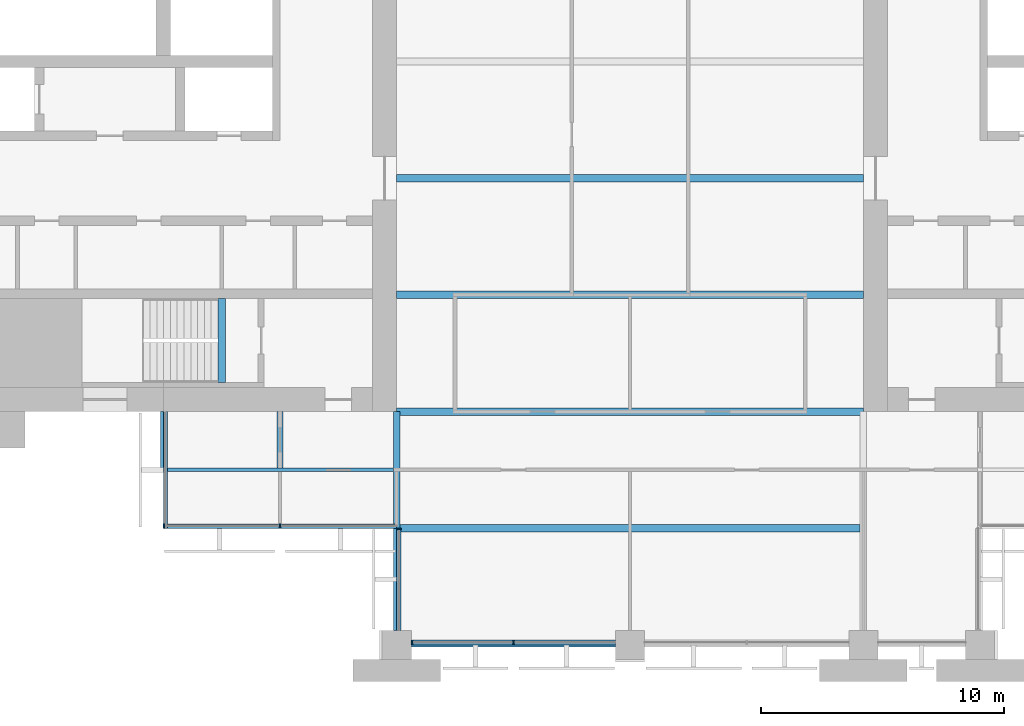
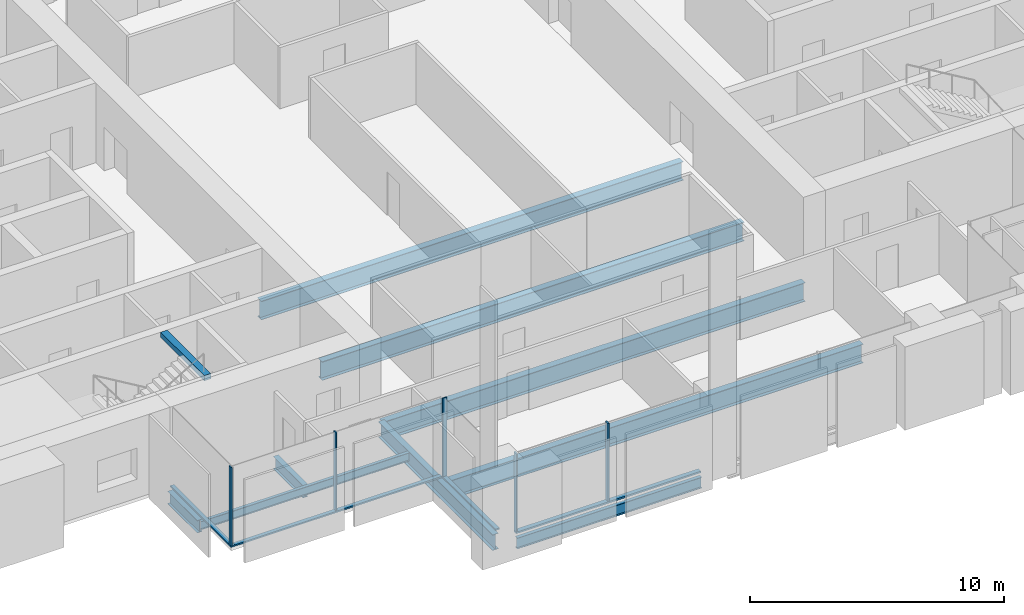
# One storey, part 2 of 14: 10 beams, 9 members, 4 elements without a shape of their own.
"""IFC4 building model written with IfcOpenShell, lengths in metres."""

import ifcopenshell
import ifcopenshell.guid

model = None  # the IFC model being written
_history = None  # IfcOwnerHistory: only IFC2X3 demands one
_inside = {}  # id of a spatial element -> (the spatial element, [elements in it])
_under = {}  # id of a project, library or spatial element -> (it, [spatial elements below it])
_declared = {}  # id of a project -> (the project, [libraries it declares])
_typed = {}  # id of a type object -> (the type object, [elements of that type])
_made_of = {}  # id of a material, layer set ... -> (it, [elements and type objects made of it])


def new_model(schema):
    """Start an empty IFC model of exactly this schema.

    Asked for "IFC4X3", IfcOpenShell would pick the latest addendum, in which some entities
    have other attributes; the version numbers below select the first issue.
    IFC2X3 requires an IfcOwnerHistory on every rooted entity: one is made here for all.
    """
    global model, _history
    if schema == "IFC4X3":
        model = ifcopenshell.file(schema_version=(4, 3, 0, 0))
    else:
        model = ifcopenshell.file(schema=schema)
    _inside.clear()
    _under.clear()
    _declared.clear()
    _typed.clear()
    _made_of.clear()
    _history = None
    if model.schema == "IFC2X3":
        org = make("IfcOrganization", Name="unknown")
        user = make(
            "IfcPersonAndOrganization",
            ThePerson=make("IfcPerson", FamilyName="unknown"),
            TheOrganization=org,
        )
        app = make(
            "IfcApplication",
            ApplicationDeveloper=org,
            Version="unknown",
            ApplicationFullName="unknown",
            ApplicationIdentifier="unknown",
        )
        _history = make(
            "IfcOwnerHistory",
            OwningUser=user,
            OwningApplication=app,
            ChangeAction="ADDED",
            CreationDate=0,
        )
    return model


def make(cls, **values):
    """One entity of the class cls with the attributes given. An attribute that is None is left unset."""
    return model.create_entity(
        cls, **{name: value for name, value in values.items() if value is not None}
    )


def rooted(cls, **values):
    """An entity with a GlobalId (a new one), such as an element, a storey or a relation."""
    return make(cls, GlobalId=ifcopenshell.guid.new(), OwnerHistory=_history, **values)


def si_unit(unit_type, name, prefix=None):
    """IfcSIUnit, for example si_unit("LENGTHUNIT", "METRE", prefix="MILLI")."""
    return make("IfcSIUnit", UnitType=unit_type, Prefix=prefix, Name=name)


def assignment(units):
    """IfcUnitAssignment: the units of a project."""
    return None if units is None else make("IfcUnitAssignment", Units=units)


def point(xyz):
    """IfcCartesianPoint."""
    return None if xyz is None else make("IfcCartesianPoint", Coordinates=xyz)


def direction(xyz):
    """IfcDirection."""
    return None if xyz is None else make("IfcDirection", DirectionRatios=xyz)


def frame(location, z_axis=None, x_axis=None):
    """IfcAxis2Placement3D, a coordinate frame: its origin and axes. An axis left out is left unset."""
    return make(
        "IfcAxis2Placement3D",
        Location=point(location),
        Axis=direction(z_axis),
        RefDirection=direction(x_axis),
    )


def frame_2d(location, x_axis=None):
    """IfcAxis2Placement2D, a coordinate frame in the plane: its origin and x axis."""
    return make(
        "IfcAxis2Placement2D", Location=point(location), RefDirection=direction(x_axis)
    )


def origin():
    """The frame at (0, 0, 0) with its axes left unset."""
    return frame((0.0, 0.0, 0.0))


def origin_2d():
    """The frame at (0, 0) in the plane with its x axis left unset."""
    return frame_2d((0.0, 0.0))


def place(relative_to, where):
    """IfcLocalPlacement: puts the frame where relative to a parent placement (None: the world)."""
    return make(
        "IfcLocalPlacement", PlacementRelTo=relative_to, RelativePlacement=where
    )


def context(
    kind, dimensions, precision=None, world=None, true_north=None, identifier=None
):
    """IfcGeometricRepresentationContext, for example the 3D "Model" context."""
    return make(
        "IfcGeometricRepresentationContext",
        ContextIdentifier=identifier,
        ContextType=kind,
        CoordinateSpaceDimension=dimensions,
        Precision=precision,
        WorldCoordinateSystem=world,
        TrueNorth=true_north,
    )


def subcontext(parent, identifier, kind, view, scale=None):
    """IfcGeometricRepresentationSubContext, for example "Body" below "Model"."""
    return make(
        "IfcGeometricRepresentationSubContext",
        ContextIdentifier=identifier,
        ContextType=kind,
        ParentContext=parent,
        TargetScale=scale,
        TargetView=view,
    )


def project(units=None, contexts=None):
    """IfcProject with its units and contexts."""
    return rooted(
        "IfcProject",
        Name="project",
        RepresentationContexts=contexts,
        UnitsInContext=assignment(units),
    )


def spatial(cls, under=None, at=None, **own):
    """A site, building, storey or space (cls), placed at a placement, below another one or the project."""
    s = rooted(cls, ObjectPlacement=at, **own)
    if under is not None:
        _under.setdefault(under.id(), (under, []))[1].append(s)
    return s


def profile(cls, at=None, kind="AREA", **sizes):
    """A parametric profile (cls). Its sizes go by their IFC names, for example OverallWidth=200.0."""
    return make(cls, ProfileType=kind, Position=at, **sizes)


def rectangle(**sizes):
    """IfcRectangleProfileDef."""
    return profile("IfcRectangleProfileDef", **sizes)


def i_section(**sizes):
    """IfcIShapeProfileDef."""
    return profile("IfcIShapeProfileDef", **sizes)


def extrude(swept, where, along, depth):
    """IfcExtrudedAreaSolid: the profile swept, set in the frame where, extruded along a direction by depth."""
    return make(
        "IfcExtrudedAreaSolid",
        SweptArea=swept,
        Position=where,
        ExtrudedDirection=direction(along),
        Depth=depth,
    )


def shape(context_of_items, identifier, shape_type, items):
    """IfcShapeRepresentation: the items that make up one representation, for example the "Body"."""
    return make(
        "IfcShapeRepresentation",
        ContextOfItems=context_of_items,
        RepresentationIdentifier=identifier,
        RepresentationType=shape_type,
        Items=items,
    )


def material(Name=None, Category=None):
    """IfcMaterial."""
    return make("IfcMaterial", Name=Name, Category=Category)


def material_profile(
    of_material, cross_section, Name=None, Category=None, Priority=None
):
    """IfcMaterialProfile: a cross section and its material."""
    return make(
        "IfcMaterialProfile",
        Name=Name,
        Material=of_material,
        Profile=cross_section,
        Priority=Priority,
        Category=Category,
    )


def profile_set(profiles, Name=None, composite=None):
    """IfcMaterialProfileSet."""
    return make(
        "IfcMaterialProfileSet",
        Name=Name,
        MaterialProfiles=profiles,
        CompositeProfile=composite,
    )


def made_of(thing, what):
    """Note that an element or type object is made of a material, layer set ...; save() writes the relation."""
    if what is not None:
        _made_of.setdefault(what.id(), (what, []))[1].append(thing)
    return thing


def type_object(cls, material=None, **own):
    """A type object (cls), such as IfcWallType, which elements share."""
    return made_of(rooted(cls, **own), material)


def element(
    cls,
    number,
    at=None,
    inside=None,
    cuts=None,
    type_object=None,
    material=None,
    context=None,
    identifier="Body",
    shape_type=None,
    held_by="IfcProductDefinitionShape",
    body=None,
    shapes=None,
    **own,
):
    """One element of the class cls, such as IfcWall. Its Tag is "e" and its number.

    at: its placement. inside: the storey or other place that contains it. cuts: it is an
    opening in that element (IfcRelVoidsElement). A single representation is given by context,
    identifier, shape_type and body (its items); several are given by shapes. held_by: the class
    of the entity that holds the representations. save() writes the other relations.
    """
    e = rooted(cls, Tag="e%d" % number, ObjectPlacement=at, **own)
    if body is not None:
        shapes = [shape(context, identifier, shape_type, body)]
    if shapes is not None:
        e.Representation = make(held_by, Representations=shapes)
    if inside is not None:
        _inside.setdefault(inside.id(), (inside, []))[1].append(e)
    if cuts is not None:
        rooted(
            "IfcRelVoidsElement", RelatingBuildingElement=cuts, RelatedOpeningElement=e
        )
    if type_object is not None:
        _typed.setdefault(type_object.id(), (type_object, []))[1].append(e)
    return made_of(e, material)


def aggregate(whole, parts):
    """IfcRelAggregates: a whole, such as a stair, and the parts it consists of."""
    return rooted("IfcRelAggregates", RelatingObject=whole, RelatedObjects=parts)


def save(model, path):
    """Write the relations noted so far, then the file.

    IfcRelAggregates (storeys below a building ...), IfcRelContainedInSpatialStructure (elements
    in a storey), IfcRelDefinesByType, IfcRelAssociatesMaterial and IfcRelDeclares: one each for
    every whole, place, type object, material and project.
    """
    for whole, parts in _under.values():
        aggregate(whole, parts)
    for where, things in _inside.values():
        rooted(
            "IfcRelContainedInSpatialStructure",
            RelatedElements=things,
            RelatingStructure=where,
        )
    for kind, things in _typed.values():
        rooted("IfcRelDefinesByType", RelatedObjects=things, RelatingType=kind)
    for what, things in _made_of.values():
        rooted("IfcRelAssociatesMaterial", RelatedObjects=things, RelatingMaterial=what)
    for by, libraries in _declared.values():
        rooted("IfcRelDeclares", RelatingContext=by, RelatedDefinitions=libraries)
    model.write(path)


model = new_model("IFC4")

# Units and contexts
model_context = context("Model", 3, precision=1e-05, world=origin(), true_north=direction((0.0, 1.0)))
body_context = subcontext(model_context, "Body", "Model", "MODEL_VIEW")
ifc_project = project(units=[si_unit("LENGTHUNIT", "METRE"), si_unit("AREAUNIT", "SQUARE_METRE"), si_unit("VOLUMEUNIT", "CUBIC_METRE"), si_unit("PLANEANGLEUNIT", "RADIAN"), si_unit("MASSUNIT", "GRAM", prefix="KILO")], contexts=[model_context])

# Site, building, storey
site_placement = place(None, origin())
site = spatial("IfcSite", under=ifc_project, at=site_placement, CompositionType="ELEMENT")
building_placement = place(site_placement, origin())
building = spatial("IfcBuilding", under=site, at=building_placement, Name="Baori Bourse Tower", CompositionType="ELEMENT")
storey_placement = place(building_placement, frame((0.0, 0.0, 156.10009765625)))
storey = spatial("IfcBuildingStorey", under=building, at=storey_placement, Name="L34", CompositionType="ELEMENT", Elevation=156.10009765625)

# Curtain wall, members
ifc_material_1 = material(Name="Pale anodised aluminium", Category="aluminium")
curtain_wall_type_1 = type_object("IfcCurtainWallType", Name="CW1 Curtain wall", PredefinedType="NOTDEFINED", material=ifc_material_1)
curtain_wall_1_placement = place(storey_placement, origin())
curtain_wall_1 = element("IfcCurtainWall", 1, at=curtain_wall_1_placement, inside=storey, type_object=curtain_wall_type_1, Name="Curtain wall CW1 L34 11", PredefinedType="NOTDEFINED")
ifc_material_2 = material(Name="Pale anodised aluminium", Category="aluminium")
ifc_material_profile_1 = material_profile(ifc_material_2, rectangle(XDim=0.199951171875, YDim=0.06005859375, at=origin_2d()), Name="Mullion 60x200")
ifc_profile_set_1 = profile_set([ifc_material_profile_1], Name="Pale anodised aluminium")
member_type_1 = type_object("IfcMemberType", Name="CW1 Curtain wall mullion", PredefinedType="MULLION", material=ifc_profile_set_1)
member_1_placement = place(storey_placement, frame((19.830078125, 0.10009765625, 0.079833984375), z_axis=(0.0, 0.0, 1.0), x_axis=(0.0, 1.0, 0.0)))
member_1 = element("IfcMember", 2, at=member_1_placement, type_object=member_type_1, Name="Curtain wall CW1 mullion", PredefinedType="MULLION", context=body_context, shape_type="SweptSolid", body=[
    extrude(rectangle(XDim=0.199951171875, YDim=0.06005859375, at=origin_2d()), origin(), (0.0, 0.0, 1.0), 3.760009765625),
])
member_2_placement = place(storey_placement, frame((24.0, 0.10009765625, 0.079833984375), z_axis=(0.0, 0.0, 1.0), x_axis=(0.0, 1.0, 0.0)))
member_2 = element("IfcMember", 3, at=member_2_placement, type_object=member_type_1, Name="Curtain wall CW1 mullion", PredefinedType="MULLION", context=body_context, shape_type="SweptSolid", body=[
    extrude(rectangle(XDim=0.199951171875, YDim=0.06005859375, at=origin_2d()), origin(), (0.0, 0.0, 1.0), 3.760009765625),
])
ifc_material_3 = material(Name="Pale anodised aluminium", Category="aluminium")
ifc_material_profile_2 = material_profile(ifc_material_3, rectangle(XDim=0.199951171875, YDim=0.080078125, at=origin_2d()), Name="Transom 80x200")
ifc_profile_set_2 = profile_set([ifc_material_profile_2], Name="Pale anodised aluminium")
member_type_2 = type_object("IfcMemberType", Name="CW1 Curtain wall transom", PredefinedType="USERDEFINED", material=ifc_profile_set_2)
member_3_placement = place(storey_placement, frame((19.800048828125, 0.10009765625, 0.039794921875), z_axis=(1.0, 0.0, 0.0), x_axis=(0.0, 1.0, 0.0)))
member_3 = element("IfcMember", 4, at=member_3_placement, type_object=member_type_2, Name="Curtain wall CW1 sill rail", ObjectType="TRANSOM", PredefinedType="USERDEFINED", context=body_context, shape_type="SweptSolid", body=[
    extrude(rectangle(XDim=0.199951171875, YDim=0.080078125, at=origin_2d()), origin(), (0.0, 0.0, 1.0), 8.39990234375),
])
aggregate(curtain_wall_1, [member_3, member_1, member_2])

ifc_material_4 = material(Name="Pale anodised aluminium", Category="aluminium")
curtain_wall_type_2 = type_object("IfcCurtainWallType", Name="CW2 Curtain wall", PredefinedType="NOTDEFINED", material=ifc_material_4)
curtain_wall_2_placement = place(storey_placement, origin())
curtain_wall_2 = element("IfcCurtainWall", 5, at=curtain_wall_2_placement, inside=storey, type_object=curtain_wall_type_2, Name="Curtain wall CW2 L34 9", PredefinedType="NOTDEFINED")
ifc_material_5 = material(Name="Pale anodised aluminium", Category="aluminium")
ifc_material_profile_3 = material_profile(ifc_material_5, rectangle(XDim=0.179931640625, YDim=0.054931640625, at=origin_2d()), Name="Mullion 55x180")
ifc_profile_set_3 = profile_set([ifc_material_profile_3], Name="Pale anodised aluminium")
member_type_3 = type_object("IfcMemberType", Name="CW2 Curtain wall mullion", PredefinedType="MULLION", material=ifc_profile_set_3)
member_4_placement = place(storey_placement, frame((9.62744140625, 4.889892578125, 0.06982421875), z_axis=(0.0, 0.0, 1.0), x_axis=(0.0, 1.0, 0.0)))
member_4 = element("IfcMember", 6, at=member_4_placement, type_object=member_type_3, Name="Curtain wall CW2 mullion", PredefinedType="MULLION", context=body_context, shape_type="SweptSolid", body=[
    extrude(rectangle(XDim=0.179931640625, YDim=0.054931640625, at=origin_2d()), origin(), (0.0, 0.0, 1.0), 3.77001953125),
])
member_5_placement = place(storey_placement, frame((14.39990234375, 4.889892578125, 0.06982421875), z_axis=(0.0, 0.0, 1.0), x_axis=(0.0, 1.0, 0.0)))
member_5 = element("IfcMember", 7, at=member_5_placement, type_object=member_type_3, Name="Curtain wall CW2 mullion", PredefinedType="MULLION", context=body_context, shape_type="SweptSolid", body=[
    extrude(rectangle(XDim=0.179931640625, YDim=0.054931640625, at=origin_2d()), origin(), (0.0, 0.0, 1.0), 3.77001953125),
])

# Curtain wall, member
curtain_wall_3_placement = place(storey_placement, origin())
curtain_wall_3 = element("IfcCurtainWall", 8, at=curtain_wall_3_placement, inside=storey, type_object=curtain_wall_type_2, Name="Curtain wall CW2 L34 10", PredefinedType="NOTDEFINED")
member_6_placement = place(storey_placement, frame((19.2900390625, 4.7724609375, 0.06982421875), z_axis=(0.0, 0.0, 1.0), x_axis=(1.0, 0.0, 0.0)))
member_6 = element("IfcMember", 9, at=member_6_placement, type_object=member_type_3, Name="Curtain wall CW2 mullion", PredefinedType="MULLION", context=body_context, shape_type="SweptSolid", body=[
    extrude(rectangle(XDim=0.179931640625, YDim=0.054931640625, at=origin_2d()), origin(), (0.0, 0.0, 1.0), 3.77001953125),
])

curtain_wall_4_placement = place(storey_placement, origin())
curtain_wall_4 = element("IfcCurtainWall", 10, at=curtain_wall_4_placement, inside=storey, type_object=curtain_wall_type_2, Name="Curtain wall CW2 L34 8", PredefinedType="NOTDEFINED")
ifc_material_6 = material(Name="Pale anodised aluminium", Category="aluminium")
ifc_material_profile_4 = material_profile(ifc_material_6, rectangle(XDim=0.179931640625, YDim=0.070068359375, at=origin_2d()), Name="Transom 70x180")
ifc_profile_set_4 = profile_set([ifc_material_profile_4], Name="Pale anodised aluminium")
member_type_4 = type_object("IfcMemberType", Name="CW2 Curtain wall transom", PredefinedType="USERDEFINED", material=ifc_profile_set_4)
member_7_placement = place(storey_placement, frame((9.68994140625, 9.60009765625, 0.034912109375), z_axis=(0.0, -1.0, 0.0), x_axis=(1.0, 0.0, 0.0)))
member_7 = element("IfcMember", 11, at=member_7_placement, type_object=member_type_4, Name="Curtain wall CW2 sill rail", ObjectType="TRANSOM", PredefinedType="USERDEFINED", context=body_context, shape_type="SweptSolid", body=[
    extrude(rectangle(XDim=0.179931640625, YDim=0.070068359375, at=origin_2d()), origin(), (0.0, 0.0, 1.0), 4.800048828125),
])
aggregate(curtain_wall_4, [member_7])

# Member
member_8_placement = place(storey_placement, frame((9.60009765625, 4.889892578125, 0.034912109375), z_axis=(1.0, 0.0, 0.0), x_axis=(0.0, 1.0, 0.0)))
member_8 = element("IfcMember", 12, at=member_8_placement, type_object=member_type_4, Name="Curtain wall CW2 sill rail", ObjectType="TRANSOM", PredefinedType="USERDEFINED", context=body_context, shape_type="SweptSolid", body=[
    extrude(rectangle(XDim=0.179931640625, YDim=0.070068359375, at=origin_2d()), origin(), (0.0, 0.0, 1.0), 9.599853515625),
])

aggregate(curtain_wall_2, [member_8, member_4, member_5])

member_9_placement = place(storey_placement, frame((19.2900390625, 4.800048828125, 0.034912109375), z_axis=(0.0, -1.0, 0.0), x_axis=(1.0, 0.0, 0.0)))
member_9 = element("IfcMember", 13, at=member_9_placement, type_object=member_type_4, Name="Curtain wall CW2 sill rail", ObjectType="TRANSOM", PredefinedType="USERDEFINED", context=body_context, shape_type="SweptSolid", body=[
    extrude(rectangle(XDim=0.179931640625, YDim=0.070068359375, at=origin_2d()), origin(), (0.0, 0.0, 1.0), 4.199951171875),
])

aggregate(curtain_wall_3, [member_9, member_6])

# Beams
ifc_material_7 = material(Name="Steel A992 Gr 50", Category="steel")
ifc_material_profile_5 = material_profile(ifc_material_7, i_section(OverallWidth=0.227783203125, OverallDepth=0.60205078125, WebThickness=0.010498046875, FlangeThickness=0.014892578125, at=origin_2d()), Name="W24x68")
ifc_profile_set_5 = profile_set([ifc_material_profile_5], Name="Steel A992 Gr 50")
beam_type_1 = type_object("IfcBeamType", Name="Core bracket W24x68", PredefinedType="BEAM", material=ifc_profile_set_5)
for number, where, z_axis, x_axis, name in (
    (14, (9.60009765625, 7.270263671875, -0.461181640625), (0.0, 1.0, 0.0), (-1.0, 0.0, 0.0), "Core bracket L34"),
    (15, (14.39990234375, 7.270263671875, -0.461181640625), (0.0, 1.0, 0.0), (-1.0, 0.0, 0.0), "Core bracket L34"),
):
    element("IfcBeam", number, at=place(storey_placement, frame(where, z_axis=z_axis, x_axis=x_axis)), inside=storey, type_object=beam_type_1, Name=name, PredefinedType="BEAM", context=body_context, shape_type="SweptSolid", body=[
        extrude(i_section(OverallWidth=0.227783203125, OverallDepth=0.60205078125, WebThickness=0.010498046875, FlangeThickness=0.014892578125, at=origin_2d()), origin(), (0.0, 0.0, 1.0), 2.329833984375),
    ])
ifc_material_8 = material(Name="Steel A992 Gr 50", Category="steel")
ifc_material_profile_6 = material_profile(ifc_material_8, i_section(OverallWidth=0.1650390625, OverallDepth=0.52587890625, WebThickness=0.0087890625, FlangeThickness=0.011474609375, at=origin_2d()), Name="W21x44")
ifc_profile_set_6 = profile_set([ifc_material_profile_6], Name="Steel A992 Gr 50")
beam_type_2 = type_object("IfcBeamType", Name="Edge beam W21x44", PredefinedType="BEAM", material=ifc_profile_set_6)
beam_1_placement = place(storey_placement, frame((19.800048828125, 0.0, -0.423095703125), z_axis=(1.0, 0.0, 0.0), x_axis=(0.0, 1.0, 0.0)))
element("IfcBeam", 16, at=beam_1_placement, inside=storey, type_object=beam_type_2, Name="Edge beam L34", PredefinedType="BEAM", context=body_context, shape_type="SweptSolid", body=[
    extrude(i_section(OverallWidth=0.1650390625, OverallDepth=0.52587890625, WebThickness=0.0087890625, FlangeThickness=0.011474609375, at=origin_2d()), origin(), (0.0, 0.0, 1.0), 8.39990234375),
])
ifc_material_9 = material(Name="Steel A992 Gr 50", Category="steel")
ifc_material_profile_7 = material_profile(ifc_material_9, i_section(OverallWidth=0.3046875, OverallDepth=0.904296875, WebThickness=0.01513671875, FlangeThickness=0.02001953125, at=origin_2d()), Name="W36x135")
ifc_profile_set_7 = profile_set([ifc_material_profile_7], Name="Steel A992 Gr 50")
beam_type_3 = type_object("IfcBeamType", Name="Floor beam W36x135", PredefinedType="BEAM", material=ifc_profile_set_7)
beam_2_placement = place(storey_placement, frame((19.333251953125, 4.800048828125, -0.6123046875), z_axis=(1.0, 0.0, 0.0), x_axis=(0.0, 1.0, 0.0)))
element("IfcBeam", 17, at=beam_2_placement, inside=storey, type_object=beam_type_3, Name="Floor beam L34", PredefinedType="BEAM", context=body_context, shape_type="SweptSolid", body=[
    extrude(i_section(OverallWidth=0.3046875, OverallDepth=0.904296875, WebThickness=0.01513671875, FlangeThickness=0.02001953125, at=origin_2d()), origin(), (0.0, 0.0, 1.0), 18.9345703125),
])
for number, where, z_axis, x_axis, name in (
    (18, (19.199951171875, 9.60009765625, -0.6123046875), (1.0, 0.0, 0.0), (0.0, 1.0, 0.0), "Floor beam L34"),
    (19, (19.199951171875, 14.39990234375, -0.6123046875), (1.0, 0.0, 0.0), (0.0, 1.0, 0.0), "Floor beam L34"),
    (20, (19.199951171875, 19.199951171875, -0.6123046875), (1.0, 0.0, 0.0), (0.0, 1.0, 0.0), "Floor beam L34"),
):
    element("IfcBeam", number, at=place(storey_placement, frame(where, z_axis=z_axis, x_axis=x_axis)), inside=storey, type_object=beam_type_3, Name=name, PredefinedType="BEAM", context=body_context, shape_type="SweptSolid", body=[
        extrude(i_section(OverallWidth=0.3046875, OverallDepth=0.904296875, WebThickness=0.01513671875, FlangeThickness=0.02001953125, at=origin_2d()), origin(), (0.0, 0.0, 1.0), 19.199951171875),
    ])
ifc_material_10 = material(Name="Steel A992 Gr 50", Category="steel")
ifc_material_profile_8 = material_profile(ifc_material_10, i_section(OverallWidth=0.2666015625, OverallDepth=0.7568359375, WebThickness=0.013916015625, FlangeThickness=0.019287109375, at=origin_2d()), Name="W30x108")
ifc_profile_set_8 = profile_set([ifc_material_profile_8], Name="Steel A992 Gr 50")
beam_type_4 = type_object("IfcBeamType", Name="Girder W30x108", PredefinedType="BEAM", material=ifc_profile_set_8)
beam_3_placement = place(storey_placement, frame((19.199951171875, 0.60009765625, -0.53857421875), z_axis=(0.0, 1.0, 0.0), x_axis=(-1.0, 0.0, 0.0)))
element("IfcBeam", 21, at=beam_3_placement, inside=storey, type_object=beam_type_4, Name="Girder L34", PredefinedType="BEAM", context=body_context, shape_type="SweptSolid", body=[
    extrude(i_section(OverallWidth=0.2666015625, OverallDepth=0.7568359375, WebThickness=0.013916015625, FlangeThickness=0.019287109375, at=origin_2d()), origin(), (0.0, 0.0, 1.0), 9.0),
])
ifc_material_11 = material(Name="Concrete f'c 50 MPa", Category="concrete")
ifc_material_profile_9 = material_profile(ifc_material_11, rectangle(XDim=0.300048828125, YDim=0.25, at=origin_2d()), Name="RC 300x250")
ifc_profile_set_9 = profile_set([ifc_material_profile_9], Name="Concrete f'c 50 MPa")
beam_type_5 = type_object("IfcBeamType", Name="Stair nib beam RC 300x250", PredefinedType="BEAM", material=ifc_profile_set_9)
beam_4_placement = place(storey_placement, frame((12.0, 10.800048828125, 3.71484375), z_axis=(0.0, 1.0, 0.0), x_axis=(-1.0, 0.0, 0.0)))
element("IfcBeam", 22, at=beam_4_placement, inside=storey, type_object=beam_type_5, Name="Stair WA nib beam L35", PredefinedType="BEAM", context=body_context, shape_type="SweptSolid", body=[
    extrude(rectangle(XDim=0.300048828125, YDim=0.25, at=origin_2d()), origin(), (0.0, 0.0, 1.0), 3.449951171875),
])
ifc_material_12 = material(Name="Steel A992 Gr 50", Category="steel")
ifc_material_profile_10 = material_profile(ifc_material_12, i_section(OverallWidth=0.140380859375, OverallDepth=0.40380859375, WebThickness=0.007080078125, FlangeThickness=0.01123046875, at=origin_2d()), Name="W16x31")
ifc_profile_set_10 = profile_set([ifc_material_profile_10], Name="Steel A992 Gr 50")
beam_type_6 = type_object("IfcBeamType", Name="Trimmer beam W16x31", PredefinedType="BEAM", material=ifc_profile_set_10)
beam_5_placement = place(storey_placement, frame((9.60009765625, 7.199951171875, -0.362060546875), z_axis=(1.0, 0.0, 0.0), x_axis=(0.0, 1.0, 0.0)))
element("IfcBeam", 23, at=beam_5_placement, inside=storey, type_object=beam_type_6, Name="Trimmer beam L34", PredefinedType="BEAM", context=body_context, shape_type="SweptSolid", body=[
    extrude(i_section(OverallWidth=0.140380859375, OverallDepth=0.40380859375, WebThickness=0.007080078125, FlangeThickness=0.01123046875, at=origin_2d()), origin(), (0.0, 0.0, 1.0), 9.466552734375),
])

save(model, "model.ifc")
